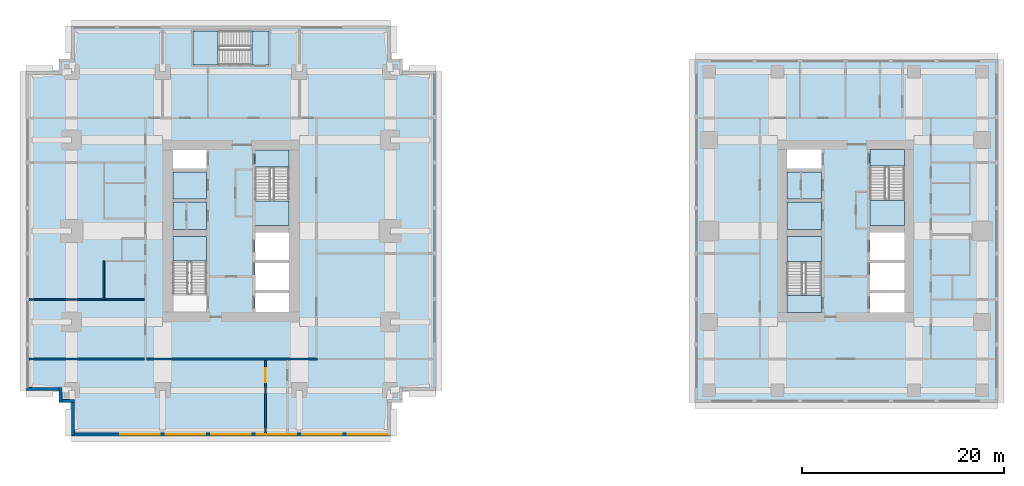
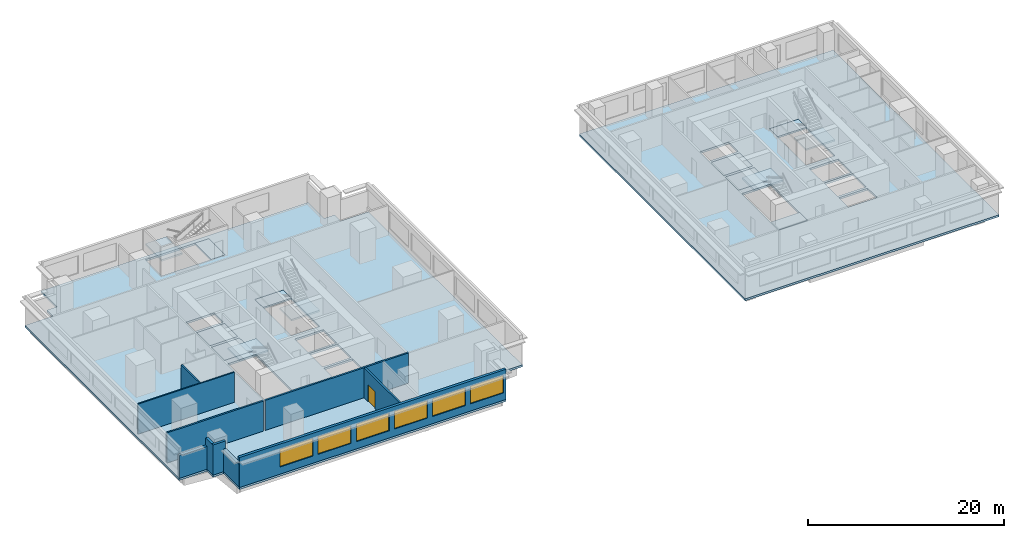
# One storey, part 2 of 11: 15 slabs, 10 walls, 6 windows, 1 door, 7 openings, 5 elements without a shape of their own.
"""IFC4 building model written with IfcOpenShell, lengths in metres."""

from ifc_helpers import new_model, si_unit, direction, frame, frame_2d, origin, place, context, subcontext, project, spatial, polyline, rectangle, outline, extrude, material, layer, layer_set, type_object, element, fill, aggregate, save


model = new_model("IFC4")

# Units and contexts
model_context = context("Model", 3, precision=1e-05, world=origin(), true_north=direction((0.0, 1.0)))
body_context = subcontext(model_context, "Body", "Model", "MODEL_VIEW")
ifc_project = project(units=[si_unit("LENGTHUNIT", "METRE"), si_unit("AREAUNIT", "SQUARE_METRE"), si_unit("VOLUMEUNIT", "CUBIC_METRE"), si_unit("PLANEANGLEUNIT", "RADIAN"), si_unit("MASSUNIT", "GRAM", prefix="KILO")], contexts=[model_context])

# Site, building, storey
site_placement = place(None, origin())
site = spatial("IfcSite", under=ifc_project, at=site_placement, CompositionType="ELEMENT")
building_placement = place(site_placement, origin())
building = spatial("IfcBuilding", under=site, at=building_placement, Name="Namib Vertical Campus", CompositionType="ELEMENT")
storey_placement = place(building_placement, frame((0.0, 0.0, 205.0)))
storey = spatial("IfcBuildingStorey", under=building, at=storey_placement, Name="L48", CompositionType="ELEMENT", Elevation=205.0)

# Slabs
ifc_material_1 = material(Name="Concrete C40/50", Category="concrete")
ifc_layer_1 = layer(ifc_material_1, 0.25)
ifc_layer_set_1 = layer_set([ifc_layer_1], Name="Concrete C40/50")
slab_type_1 = type_object("IfcSlabType", Name="Floor slab 250", PredefinedType="FLOOR", material=ifc_layer_set_1)
slab_1_placement = place(storey_placement, frame((0.0, 0.0, -0.25)))
element("IfcSlab", 1, at=slab_1_placement, inside=storey, type_object=slab_type_1, Name="Floor slab A L48", PredefinedType="FLOOR", context=body_context, shape_type="SweptSolid", body=[
    extrude(outline(polyline([(4.5, 0.0), (36.0, 0.0), (36.0, 3.27490234375), (37.22509765625, 3.27490234375), (37.22509765625, 4.5), (40.5, 4.5), (40.5, 36.0), (37.22509765625, 36.0), (37.22509765625, 37.22509765625), (36.0, 37.22509765625), (36.0, 40.5), (4.5, 40.5), (4.5, 37.22509765625), (3.27490234375, 37.22509765625), (3.27490234375, 36.0), (0.0, 36.0), (0.0, 4.5), (3.27490234375, 4.5), (3.27490234375, 3.27490234375), (4.5, 3.27490234375), (4.5, 0.0)]), holes=[polyline([(14.5, 12.25), (17.85009765625, 12.25), (17.85009765625, 19.699951171875), (14.5, 19.699951171875), (14.5, 12.25)]), polyline([(22.64990234375, 20.800048828125), (26.0, 20.800048828125), (26.0, 28.25), (22.64990234375, 28.25), (22.64990234375, 20.800048828125)]), polyline([(22.64990234375, 12.25), (26.0, 12.25), (26.0, 14.10009765625), (22.64990234375, 14.10009765625), (22.64990234375, 12.25)]), polyline([(14.5, 20.39990234375), (17.85009765625, 20.39990234375), (17.85009765625, 23.10009765625), (14.5, 23.10009765625), (14.5, 20.39990234375)]), polyline([(14.5, 23.39990234375), (17.85009765625, 23.39990234375), (17.85009765625, 26.10009765625), (14.5, 26.10009765625), (14.5, 23.39990234375)]), polyline([(14.5, 26.39990234375), (17.85009765625, 26.39990234375), (17.85009765625, 28.25), (14.5, 28.25), (14.5, 26.39990234375)]), polyline([(22.64990234375, 14.39990234375), (26.0, 14.39990234375), (26.0, 17.10009765625), (22.64990234375, 17.10009765625), (22.64990234375, 14.39990234375)]), polyline([(22.64990234375, 17.39990234375), (26.0, 17.39990234375), (26.0, 20.10009765625), (22.64990234375, 20.10009765625), (22.64990234375, 17.39990234375)]), polyline([(16.5, 36.64990234375), (24.0, 36.64990234375), (24.0, 40.0), (16.5, 40.0), (16.5, 36.64990234375)])]), origin(), (0.0, 0.0, 1.0), 0.25),
])
slab_2_placement = place(storey_placement, frame((0.0, 0.0, -0.25)))
element("IfcSlab", 2, at=slab_2_placement, inside=storey, type_object=slab_type_1, Name="Floor slab B L48", PredefinedType="FLOOR", context=body_context, shape_type="SweptSolid", body=[
    extrude(outline(polyline([(66.10009765625, 3.300048828125), (96.050048828125, 3.300048828125), (96.050048828125, 37.199951171875), (66.10009765625, 37.199951171875), (66.10009765625, 3.300048828125)]), holes=[polyline([(75.199951171875, 12.199951171875), (78.60009765625, 12.199951171875), (78.60009765625, 19.699951171875), (75.199951171875, 19.699951171875), (75.199951171875, 12.199951171875)]), polyline([(83.39990234375, 20.800048828125), (86.800048828125, 20.800048828125), (86.800048828125, 28.300048828125), (83.39990234375, 28.300048828125), (83.39990234375, 20.800048828125)]), polyline([(83.39990234375, 12.199951171875), (86.800048828125, 12.199951171875), (86.800048828125, 14.10009765625), (83.39990234375, 14.10009765625), (83.39990234375, 12.199951171875)]), polyline([(75.199951171875, 20.39990234375), (78.60009765625, 20.39990234375), (78.60009765625, 23.10009765625), (75.199951171875, 23.10009765625), (75.199951171875, 20.39990234375)]), polyline([(75.199951171875, 23.39990234375), (78.60009765625, 23.39990234375), (78.60009765625, 26.10009765625), (75.199951171875, 26.10009765625), (75.199951171875, 23.39990234375)]), polyline([(75.199951171875, 26.39990234375), (78.60009765625, 26.39990234375), (78.60009765625, 28.300048828125), (75.199951171875, 28.300048828125), (75.199951171875, 26.39990234375)]), polyline([(83.39990234375, 14.39990234375), (86.800048828125, 14.39990234375), (86.800048828125, 17.10009765625), (83.39990234375, 17.10009765625), (83.39990234375, 14.39990234375)]), polyline([(83.39990234375, 17.39990234375), (86.800048828125, 17.39990234375), (86.800048828125, 20.10009765625), (83.39990234375, 20.10009765625), (83.39990234375, 17.39990234375)])]), origin(), (0.0, 0.0, 1.0), 0.25),
])
ifc_material_2 = material(Name="Concrete C40/50 precast", Category="concrete")
ifc_layer_2 = layer(ifc_material_2, 0.25)
ifc_layer_set_2 = layer_set([ifc_layer_2], Name="Concrete C40/50 precast")
slab_type_2 = type_object("IfcSlabType", Name="Shaft infill floor 250", PredefinedType="FLOOR", material=ifc_layer_set_2)
slab_3_placement = place(storey_placement, frame((0.0, 0.0, -0.25)))
element("IfcSlab", 3, at=slab_3_placement, inside=storey, type_object=slab_type_2, Name="Shaft infill floor A L48 P1", PredefinedType="FLOOR", context=body_context, shape_type="SweptSolid", body=[
    extrude(outline(polyline([(14.5, 20.39990234375), (17.85009765625, 20.39990234375), (17.85009765625, 23.10009765625), (14.5, 23.10009765625), (14.5, 20.39990234375)])), origin(), (0.0, 0.0, 1.0), 0.25),
])
slab_4_placement = place(storey_placement, frame((0.0, 0.0, -0.25)))
element("IfcSlab", 4, at=slab_4_placement, inside=storey, type_object=slab_type_2, Name="Shaft infill floor A L48 P2", PredefinedType="FLOOR", context=body_context, shape_type="SweptSolid", body=[
    extrude(outline(polyline([(14.5, 23.39990234375), (17.85009765625, 23.39990234375), (17.85009765625, 26.10009765625), (14.5, 26.10009765625), (14.5, 23.39990234375)])), origin(), (0.0, 0.0, 1.0), 0.25),
])
slab_5_placement = place(storey_placement, frame((0.0, 0.0, -0.25)))
element("IfcSlab", 5, at=slab_5_placement, inside=storey, type_object=slab_type_2, Name="Shaft infill floor B L48 P1", PredefinedType="FLOOR", context=body_context, shape_type="SweptSolid", body=[
    extrude(outline(polyline([(75.199951171875, 20.39990234375), (78.60009765625, 20.39990234375), (78.60009765625, 23.10009765625), (75.199951171875, 23.10009765625), (75.199951171875, 20.39990234375)])), origin(), (0.0, 0.0, 1.0), 0.25),
])
slab_6_placement = place(storey_placement, frame((0.0, 0.0, -0.25)))
element("IfcSlab", 6, at=slab_6_placement, inside=storey, type_object=slab_type_2, Name="Shaft infill floor B L48 P2", PredefinedType="FLOOR", context=body_context, shape_type="SweptSolid", body=[
    extrude(outline(polyline([(75.199951171875, 23.39990234375), (78.60009765625, 23.39990234375), (78.60009765625, 26.10009765625), (75.199951171875, 26.10009765625), (75.199951171875, 23.39990234375)])), origin(), (0.0, 0.0, 1.0), 0.25),
])

# Stair, slab
ifc_material_3 = material(Name="Concrete C40/50 precast", Category="concrete")
stair_type_1 = type_object("IfcStairType", Name="Exit stair 4000 rise 24 risers 3350 wide", PredefinedType="HALF_TURN_STAIR", material=ifc_material_3)
stair_1_placement = place(storey_placement, origin())
stair_1 = element("IfcStair", 7, at=stair_1_placement, inside=storey, type_object=stair_type_1, Name="Exit stair A-S1 L48", PredefinedType="HALF_TURN_STAIR")
ifc_material_4 = material(Name="Concrete C40/50", Category="concrete")
ifc_layer_3 = layer(ifc_material_4, 0.199951171875)
ifc_layer_set_3 = layer_set([ifc_layer_3], Name="Concrete C40/50")
slab_type_3 = type_object("IfcSlabType", Name="Stair landing 200", PredefinedType="LANDING", material=ifc_layer_set_3)
slab_7_placement = place(storey_placement, frame((0.0, 0.0, 1.800048828125)))
slab_7 = element("IfcSlab", 8, at=slab_7_placement, type_object=slab_type_3, Name="A-S1 landing 2", PredefinedType="LANDING", context=body_context, shape_type="SweptSolid", body=[
    extrude(outline(polyline([(14.5, 17.276123046875), (17.85009765625, 17.276123046875), (17.85009765625, 19.699951171875), (14.5, 19.699951171875), (14.5, 17.276123046875)])), origin(), (0.0, 0.0, 1.0), 0.199951171875),
])
aggregate(stair_1, [slab_7])

# Stair, slabs
stair_2_placement = place(storey_placement, origin())
stair_2 = element("IfcStair", 9, at=stair_2_placement, inside=storey, type_object=stair_type_1, Name="Exit stair A-S2 L48", PredefinedType="HALF_TURN_STAIR")
slab_8_placement = place(storey_placement, frame((0.0, 0.0, -0.199951171875)))
slab_8 = element("IfcSlab", 10, at=slab_8_placement, type_object=slab_type_3, Name="A-S2 landing 1", PredefinedType="LANDING", context=body_context, shape_type="SweptSolid", body=[
    extrude(outline(polyline([(22.64990234375, 26.59619140625), (26.0, 26.59619140625), (26.0, 28.25), (22.64990234375, 28.25), (22.64990234375, 26.59619140625)])), origin(), (0.0, 0.0, 1.0), 0.199951171875),
])
slab_9_placement = place(storey_placement, frame((0.0, 0.0, 1.800048828125)))
slab_9 = element("IfcSlab", 11, at=slab_9_placement, type_object=slab_type_3, Name="A-S2 landing 2", PredefinedType="LANDING", context=body_context, shape_type="SweptSolid", body=[
    extrude(outline(polyline([(22.64990234375, 20.800048828125), (26.0, 20.800048828125), (26.0, 23.223876953125), (22.64990234375, 23.223876953125), (22.64990234375, 20.800048828125)])), origin(), (0.0, 0.0, 1.0), 0.199951171875),
])
aggregate(stair_2, [slab_8, slab_9])

ifc_material_5 = material(Name="Concrete C40/50 precast", Category="concrete")
stair_type_2 = type_object("IfcStairType", Name="Exit stair 4000 rise 24 risers 3400 wide", PredefinedType="HALF_TURN_STAIR", material=ifc_material_5)
stair_3_placement = place(storey_placement, origin())
stair_3 = element("IfcStair", 12, at=stair_3_placement, inside=storey, type_object=stair_type_2, Name="Exit stair B-S1 L48", PredefinedType="HALF_TURN_STAIR")
slab_10_placement = place(storey_placement, frame((0.0, 0.0, -0.199951171875)))
slab_10 = element("IfcSlab", 13, at=slab_10_placement, type_object=slab_type_3, Name="B-S1 landing 1", PredefinedType="LANDING", context=body_context, shape_type="SweptSolid", body=[
    extrude(outline(polyline([(75.199951171875, 12.199951171875), (78.60009765625, 12.199951171875), (78.60009765625, 13.85400390625), (75.199951171875, 13.85400390625), (75.199951171875, 12.199951171875)])), origin(), (0.0, 0.0, 1.0), 0.199951171875),
])
slab_11_placement = place(storey_placement, frame((0.0, 0.0, 1.800048828125)))
slab_11 = element("IfcSlab", 14, at=slab_11_placement, type_object=slab_type_3, Name="B-S1 landing 2", PredefinedType="LANDING", context=body_context, shape_type="SweptSolid", body=[
    extrude(outline(polyline([(75.199951171875, 17.22607421875), (78.60009765625, 17.22607421875), (78.60009765625, 19.699951171875), (75.199951171875, 19.699951171875), (75.199951171875, 17.22607421875)])), origin(), (0.0, 0.0, 1.0), 0.199951171875),
])
aggregate(stair_3, [slab_10, slab_11])

stair_4_placement = place(storey_placement, origin())
stair_4 = element("IfcStair", 15, at=stair_4_placement, inside=storey, type_object=stair_type_2, Name="Exit stair B-S2 L48", PredefinedType="HALF_TURN_STAIR")
slab_12_placement = place(storey_placement, frame((0.0, 0.0, -0.199951171875)))
slab_12 = element("IfcSlab", 16, at=slab_12_placement, type_object=slab_type_3, Name="B-S2 landing 1", PredefinedType="LANDING", context=body_context, shape_type="SweptSolid", body=[
    extrude(outline(polyline([(83.39990234375, 26.64599609375), (86.800048828125, 26.64599609375), (86.800048828125, 28.300048828125), (83.39990234375, 28.300048828125), (83.39990234375, 26.64599609375)])), origin(), (0.0, 0.0, 1.0), 0.199951171875),
])
slab_13_placement = place(storey_placement, frame((0.0, 0.0, 1.800048828125)))
slab_13 = element("IfcSlab", 17, at=slab_13_placement, type_object=slab_type_3, Name="B-S2 landing 2", PredefinedType="LANDING", context=body_context, shape_type="SweptSolid", body=[
    extrude(outline(polyline([(83.39990234375, 20.800048828125), (86.800048828125, 20.800048828125), (86.800048828125, 23.27392578125), (83.39990234375, 23.27392578125), (83.39990234375, 20.800048828125)])), origin(), (0.0, 0.0, 1.0), 0.199951171875),
])
aggregate(stair_4, [slab_12, slab_13])

stair_5_placement = place(storey_placement, origin())
stair_5 = element("IfcStair", 18, at=stair_5_placement, inside=storey, type_object=stair_type_1, Name="Exit stair A-S3 L48", PredefinedType="HALF_TURN_STAIR")
slab_14_placement = place(storey_placement, frame((0.0, 0.0, -0.199951171875)))
slab_14 = element("IfcSlab", 19, at=slab_14_placement, type_object=slab_type_3, Name="A-S3 landing 1", PredefinedType="LANDING", context=body_context, shape_type="SweptSolid", body=[
    extrude(outline(polyline([(22.34619140625, 36.64990234375), (22.34619140625, 40.0), (24.0, 40.0), (24.0, 36.64990234375), (22.34619140625, 36.64990234375)])), origin(), (0.0, 0.0, 1.0), 0.199951171875),
])
slab_15_placement = place(storey_placement, frame((0.0, 0.0, 1.800048828125)))
slab_15 = element("IfcSlab", 20, at=slab_15_placement, type_object=slab_type_3, Name="A-S3 landing 2", PredefinedType="LANDING", context=body_context, shape_type="SweptSolid", body=[
    extrude(outline(polyline([(16.5, 36.64990234375), (16.5, 40.0), (18.973876953125, 40.0), (18.973876953125, 36.64990234375), (16.5, 36.64990234375)])), origin(), (0.0, 0.0, 1.0), 0.199951171875),
])
aggregate(stair_5, [slab_14, slab_15])

# Wall
ifc_material_6 = material(Name="Concrete masonry", Category="masonry")
ifc_layer_4 = layer(ifc_material_6, 0.199951171875)
ifc_layer_set_4 = layer_set([ifc_layer_4], Name="Corridor wall 200")
wall_type_1 = type_object("IfcWallType", Name="Corridor wall 200", PredefinedType="SOLIDWALL", material=ifc_layer_set_4)
wall_1_placement = place(storey_placement, frame((11.89990234375, 7.60009765625, 0.0), z_axis=(0.0, 0.0, 1.0), x_axis=(1.0, 0.0, 0.0)))
element("IfcWall", 21, at=wall_1_placement, inside=storey, type_object=wall_type_1, Name="Corridor wall A L48 CS", PredefinedType="SOLIDWALL", context=body_context, shape_type="SweptSolid", body=[
    extrude(rectangle(XDim=16.900146484375, YDim=0.199951171875, at=frame_2d((8.4501953125, 0.0))), origin(), (0.0, 0.0, 1.0), 3.75),
])

# Wall, opening, door
wall_2_placement = place(storey_placement, frame((23.64990234375, 0.300048828125, 0.0), z_axis=(0.0, 0.0, 1.0), x_axis=(0.0, 1.0, 0.0)))
wall_2 = element("IfcWall", 22, at=wall_2_placement, inside=storey, type_object=wall_type_1, Name="Corridor wall A L48 SPS1", PredefinedType="SOLIDWALL", context=body_context, shape_type="SweptSolid", body=[
    extrude(rectangle(XDim=7.199951171875, YDim=0.199951171875, at=frame_2d((3.60009765625, 0.0))), origin(), (0.0, 0.0, 1.0), 3.75),
])
opening_1_placement = place(wall_2_placement, frame((5.0, 0.0, 0.0)))
opening_1 = element("IfcOpeningElement", 23, at=opening_1_placement, cuts=wall_2, Name="Opening LB1", PredefinedType="OPENING", context=body_context, shape_type="SweptSolid", body=[
    extrude(rectangle(XDim=1.39990234375, YDim=2.10009765625, at=frame_2d((0.699951171875, 1.050048828125))), frame((0.0, 0.10986328125, 0.0), z_axis=(0.0, -1.0, 0.0), x_axis=(1.0, 0.0, 0.0)), (0.0, 0.0, 1.0), 0.219970703125),
])
ifc_material_7 = material(Name="Timber fire door leaf", Category="wood")
door_type = type_object("IfcDoorType", Name="Laboratory door 1400x2100 leaf and a half", OperationType="DOUBLE_DOOR_SINGLE_SWING", PredefinedType="DOOR", material=ifc_material_7)
door_placement = place(opening_1_placement, origin())
door = element("IfcDoor", 24, at=door_placement, inside=storey, type_object=door_type, Name="Door LB1 A48-01", OperationType="DOUBLE_DOOR_SINGLE_SWING", OverallHeight=2.10009765625, OverallWidth=1.39990234375, PredefinedType="DOOR", context=body_context, shape_type="SweptSolid", body=[
    extrude(rectangle(XDim=1.39990234375, YDim=2.10009765625, at=frame_2d((0.699951171875, 1.050048828125))), frame((0.0, 0.02490234375, 0.0), z_axis=(0.0, -1.0, 0.0), x_axis=(1.0, 0.0, 0.0)), (0.0, 0.0, 1.0), 0.050048828125),
])
fill(opening_1, door)

# Wall
wall_3_placement = place(storey_placement, frame((0.300048828125, 7.60009765625, 0.0), z_axis=(0.0, 0.0, 1.0), x_axis=(1.0, 0.0, 0.0)))
element("IfcWall", 25, at=wall_3_placement, inside=storey, type_object=wall_type_1, Name="Partition A L48 BSW", PredefinedType="SOLIDWALL", context=body_context, shape_type="SweptSolid", body=[
    extrude(rectangle(XDim=11.39990234375, YDim=0.199951171875, at=frame_2d((5.699951171875, 0.0))), origin(), (0.0, 0.0, 1.0), 3.75),
])

# Wall, openings, windows
ifc_material_8 = material(Name="Concrete C40/50", Category="concrete")
ifc_layer_5 = layer(ifc_material_8, 0.300048828125)
ifc_layer_set_5 = layer_set([ifc_layer_5], Name="Concrete C40/50")
wall_type_2 = type_object("IfcWallType", Name="External wall 300 board-marked concrete", PredefinedType="STANDARD", material=ifc_layer_set_5)
wall_4_placement = place(storey_placement, frame((4.52001953125, 0.14990234375, 0.0), z_axis=(0.0, 0.0, 1.0), x_axis=(1.0, 0.0, 0.0)))
wall_4 = element("IfcWall", 26, at=wall_4_placement, inside=storey, type_object=wall_type_2, Name="External wall L48 F01", PredefinedType="STANDARD", context=body_context, shape_type="SweptSolid", body=[
    extrude(rectangle(XDim=31.4599609375, YDim=0.300048828125, at=frame_2d((15.72998046875, 0.0))), origin(), (0.0, 0.0, 1.0), 3.75),
])
opening_2_placement = place(wall_4_placement, frame((4.780029296875, 0.0, 0.89990234375)))
opening_2 = element("IfcOpeningElement", 27, at=opening_2_placement, cuts=wall_4, Name="Opening W1", PredefinedType="OPENING", context=body_context, shape_type="SweptSolid", body=[
    extrude(rectangle(XDim=3.89990234375, YDim=2.199951171875, at=frame_2d((1.949951171875, 1.10009765625))), frame((0.0, 0.159912109375, 0.0), z_axis=(0.0, -1.0, 0.0), x_axis=(1.0, 0.0, 0.0)), (0.0, 0.0, 1.0), 0.320068359375),
])
opening_3_placement = place(wall_4_placement, frame((9.280029296875, 0.0, 0.89990234375)))
opening_3 = element("IfcOpeningElement", 28, at=opening_3_placement, cuts=wall_4, Name="Opening W1", PredefinedType="OPENING", context=body_context, shape_type="SweptSolid", body=[
    extrude(rectangle(XDim=3.89990234375, YDim=2.199951171875, at=frame_2d((1.949951171875, 1.10009765625))), frame((0.0, 0.159912109375, 0.0), z_axis=(0.0, -1.0, 0.0), x_axis=(1.0, 0.0, 0.0)), (0.0, 0.0, 1.0), 0.320068359375),
])
opening_4_placement = place(wall_4_placement, frame((13.780029296875, 0.0, 0.89990234375)))
opening_4 = element("IfcOpeningElement", 29, at=opening_4_placement, cuts=wall_4, Name="Opening W1", PredefinedType="OPENING", context=body_context, shape_type="SweptSolid", body=[
    extrude(rectangle(XDim=3.89990234375, YDim=2.199951171875, at=frame_2d((1.949951171875, 1.10009765625))), frame((0.0, 0.159912109375, 0.0), z_axis=(0.0, -1.0, 0.0), x_axis=(1.0, 0.0, 0.0)), (0.0, 0.0, 1.0), 0.320068359375),
])
opening_5_placement = place(wall_4_placement, frame((18.280029296875, 0.0, 0.89990234375)))
opening_5 = element("IfcOpeningElement", 30, at=opening_5_placement, cuts=wall_4, Name="Opening W1", PredefinedType="OPENING", context=body_context, shape_type="SweptSolid", body=[
    extrude(rectangle(XDim=3.89990234375, YDim=2.199951171875, at=frame_2d((1.949951171875, 1.10009765625))), frame((0.0, 0.159912109375, 0.0), z_axis=(0.0, -1.0, 0.0), x_axis=(1.0, 0.0, 0.0)), (0.0, 0.0, 1.0), 0.320068359375),
])
opening_6_placement = place(wall_4_placement, frame((22.780029296875, 0.0, 0.89990234375)))
opening_6 = element("IfcOpeningElement", 31, at=opening_6_placement, cuts=wall_4, Name="Opening W1", PredefinedType="OPENING", context=body_context, shape_type="SweptSolid", body=[
    extrude(rectangle(XDim=3.89990234375, YDim=2.199951171875, at=frame_2d((1.949951171875, 1.10009765625))), frame((0.0, 0.159912109375, 0.0), z_axis=(0.0, -1.0, 0.0), x_axis=(1.0, 0.0, 0.0)), (0.0, 0.0, 1.0), 0.320068359375),
])
opening_7_placement = place(wall_4_placement, frame((27.280029296875, 0.0, 0.89990234375)))
opening_7 = element("IfcOpeningElement", 32, at=opening_7_placement, cuts=wall_4, Name="Opening W1", PredefinedType="OPENING", context=body_context, shape_type="SweptSolid", body=[
    extrude(rectangle(XDim=3.89990234375, YDim=2.199951171875, at=frame_2d((1.949951171875, 1.10009765625))), frame((0.0, 0.159912109375, 0.0), z_axis=(0.0, -1.0, 0.0), x_axis=(1.0, 0.0, 0.0)), (0.0, 0.0, 1.0), 0.320068359375),
])
ifc_material_9 = material(Name="Dark tinted glass in black aluminium frame", Category="aluminium")
window_type = type_object("IfcWindowType", Name="Ribbon window 3900x2200", PartitioningType="SINGLE_PANEL", PredefinedType="WINDOW", material=ifc_material_9)
window_1_placement = place(opening_2_placement, origin())
window_1 = element("IfcWindow", 33, at=window_1_placement, inside=storey, type_object=window_type, Name="Window W1 L48 F01-2", OverallHeight=2.199951171875, OverallWidth=3.89990234375, PartitioningType="SINGLE_PANEL", PredefinedType="WINDOW", context=body_context, shape_type="SweptSolid", body=[
    extrude(rectangle(XDim=3.89990234375, YDim=2.199951171875, at=frame_2d((1.949951171875, 1.10009765625))), frame((0.0, 0.030029296875, 0.0), z_axis=(0.0, -1.0, 0.0), x_axis=(1.0, 0.0, 0.0)), (0.0, 0.0, 1.0), 0.06005859375),
])
fill(opening_2, window_1)
window_2_placement = place(opening_3_placement, origin())
window_2 = element("IfcWindow", 34, at=window_2_placement, inside=storey, type_object=window_type, Name="Window W1 L48 F01-3", OverallHeight=2.199951171875, OverallWidth=3.89990234375, PartitioningType="SINGLE_PANEL", PredefinedType="WINDOW", context=body_context, shape_type="SweptSolid", body=[
    extrude(rectangle(XDim=3.89990234375, YDim=2.199951171875, at=frame_2d((1.949951171875, 1.10009765625))), frame((0.0, 0.030029296875, 0.0), z_axis=(0.0, -1.0, 0.0), x_axis=(1.0, 0.0, 0.0)), (0.0, 0.0, 1.0), 0.06005859375),
])
fill(opening_3, window_2)
window_3_placement = place(opening_4_placement, origin())
window_3 = element("IfcWindow", 35, at=window_3_placement, inside=storey, type_object=window_type, Name="Window W1 L48 F01-4", OverallHeight=2.199951171875, OverallWidth=3.89990234375, PartitioningType="SINGLE_PANEL", PredefinedType="WINDOW", context=body_context, shape_type="SweptSolid", body=[
    extrude(rectangle(XDim=3.89990234375, YDim=2.199951171875, at=frame_2d((1.949951171875, 1.10009765625))), frame((0.0, 0.030029296875, 0.0), z_axis=(0.0, -1.0, 0.0), x_axis=(1.0, 0.0, 0.0)), (0.0, 0.0, 1.0), 0.06005859375),
])
fill(opening_4, window_3)
window_4_placement = place(opening_5_placement, origin())
window_4 = element("IfcWindow", 36, at=window_4_placement, inside=storey, type_object=window_type, Name="Window W1 L48 F01-5", OverallHeight=2.199951171875, OverallWidth=3.89990234375, PartitioningType="SINGLE_PANEL", PredefinedType="WINDOW", context=body_context, shape_type="SweptSolid", body=[
    extrude(rectangle(XDim=3.89990234375, YDim=2.199951171875, at=frame_2d((1.949951171875, 1.10009765625))), frame((0.0, 0.030029296875, 0.0), z_axis=(0.0, -1.0, 0.0), x_axis=(1.0, 0.0, 0.0)), (0.0, 0.0, 1.0), 0.06005859375),
])
fill(opening_5, window_4)
window_5_placement = place(opening_6_placement, origin())
window_5 = element("IfcWindow", 37, at=window_5_placement, inside=storey, type_object=window_type, Name="Window W1 L48 F01-6", OverallHeight=2.199951171875, OverallWidth=3.89990234375, PartitioningType="SINGLE_PANEL", PredefinedType="WINDOW", context=body_context, shape_type="SweptSolid", body=[
    extrude(rectangle(XDim=3.89990234375, YDim=2.199951171875, at=frame_2d((1.949951171875, 1.10009765625))), frame((0.0, 0.030029296875, 0.0), z_axis=(0.0, -1.0, 0.0), x_axis=(1.0, 0.0, 0.0)), (0.0, 0.0, 1.0), 0.06005859375),
])
fill(opening_6, window_5)
window_6_placement = place(opening_7_placement, origin())
window_6 = element("IfcWindow", 38, at=window_6_placement, inside=storey, type_object=window_type, Name="Window W1 L48 F01-7", OverallHeight=2.199951171875, OverallWidth=3.89990234375, PartitioningType="SINGLE_PANEL", PredefinedType="WINDOW", context=body_context, shape_type="SweptSolid", body=[
    extrude(rectangle(XDim=3.89990234375, YDim=2.199951171875, at=frame_2d((1.949951171875, 1.10009765625))), frame((0.0, 0.030029296875, 0.0), z_axis=(0.0, -1.0, 0.0), x_axis=(1.0, 0.0, 0.0)), (0.0, 0.0, 1.0), 0.06005859375),
])
fill(opening_7, window_6)

# Walls
wall_5_placement = place(storey_placement, frame((0.02001953125, 4.64990234375, 0.0), z_axis=(0.0, 0.0, 1.0), x_axis=(1.0, 0.0, 0.0)))
element("IfcWall", 39, at=wall_5_placement, inside=storey, type_object=wall_type_2, Name="External wall L48 F17", PredefinedType="STANDARD", context=body_context, shape_type="SweptSolid", body=[
    extrude(rectangle(XDim=3.534912109375, YDim=0.300048828125, at=frame_2d((1.767578125, 0.0))), origin(), (0.0, 0.0, 1.0), 2.85009765625),
])
for number, where, z_axis, x_axis, name in (
    (40, (3.425048828125, 4.780029296875, 0.0), (0.0, 0.0, 1.0), (0.0, -1.0, 0.0), "External wall L48 F18"),
    (41, (3.294921875, 3.425048828125, 0.0), (0.0, 0.0, 1.0), (1.0, 0.0, 0.0), "External wall L48 F19"),
):
    element("IfcWall", number, at=place(storey_placement, frame(where, z_axis=z_axis, x_axis=x_axis)), inside=storey, type_object=wall_type_2, Name=name, PredefinedType="STANDARD", context=body_context, shape_type="SweptSolid", body=[
        extrude(rectangle(XDim=1.485107421875, YDim=0.300048828125, at=frame_2d((0.74267578125, 0.0))), origin(), (0.0, 0.0, 1.0), 3.75),
    ])
wall_6_placement = place(storey_placement, frame((4.64990234375, 3.554931640625, 0.0), z_axis=(0.0, 0.0, 1.0), x_axis=(0.0, -1.0, 0.0)))
element("IfcWall", 42, at=wall_6_placement, inside=storey, type_object=wall_type_2, Name="External wall L48 F20", PredefinedType="STANDARD", context=body_context, shape_type="SweptSolid", body=[
    extrude(rectangle(XDim=3.534912109375, YDim=0.300048828125, at=frame_2d((1.767578125, 0.0))), origin(), (0.0, 0.0, 1.0), 2.85009765625),
])
ifc_material_10 = material(Name="Gypsum board on steel studs", Category="steel")
ifc_layer_6 = layer(ifc_material_10, 0.14990234375)
ifc_layer_set_6 = layer_set([ifc_layer_6], Name="Gypsum board on steel studs")
wall_type_3 = type_object("IfcWallType", Name="Partition 150", PredefinedType="PARTITIONING", material=ifc_layer_set_6)
wall_7_placement = place(storey_placement, frame((0.300048828125, 13.5, 0.0), z_axis=(0.0, 0.0, 1.0), x_axis=(1.0, 0.0, 0.0)))
element("IfcWall", 43, at=wall_7_placement, inside=storey, type_object=wall_type_3, Name="Partition A L48 PW1", PredefinedType="PARTITIONING", context=body_context, shape_type="SweptSolid", body=[
    extrude(rectangle(XDim=11.39990234375, YDim=0.14990234375, at=frame_2d((5.699951171875, 0.0))), origin(), (0.0, 0.0, 1.0), 3.75),
])
wall_8_placement = place(storey_placement, frame((7.699951171875, 13.5, 0.0), z_axis=(0.0, 0.0, 1.0), x_axis=(0.0, 1.0, 0.0)))
element("IfcWall", 44, at=wall_8_placement, inside=storey, type_object=wall_type_3, Name="Partition A L48 WB1", PredefinedType="PARTITIONING", context=body_context, shape_type="SweptSolid", body=[
    extrude(rectangle(XDim=3.800048828125, YDim=0.14990234375, at=frame_2d((1.89990234375, 0.0))), origin(), (0.0, 0.0, 1.0), 3.75),
])

save(model, "model.ifc")
